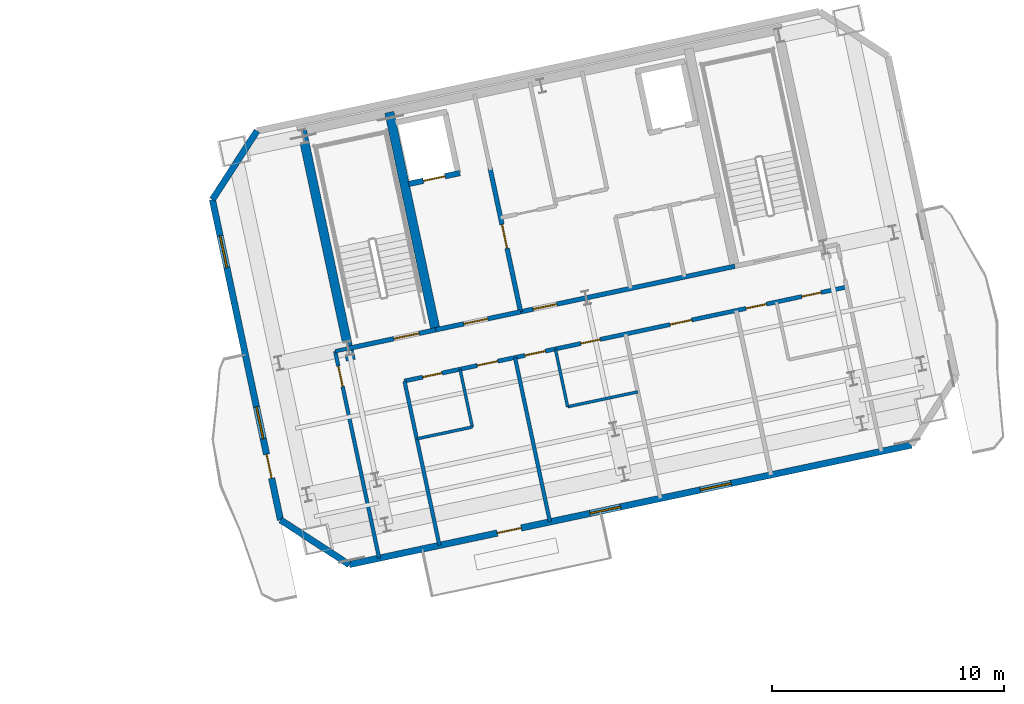
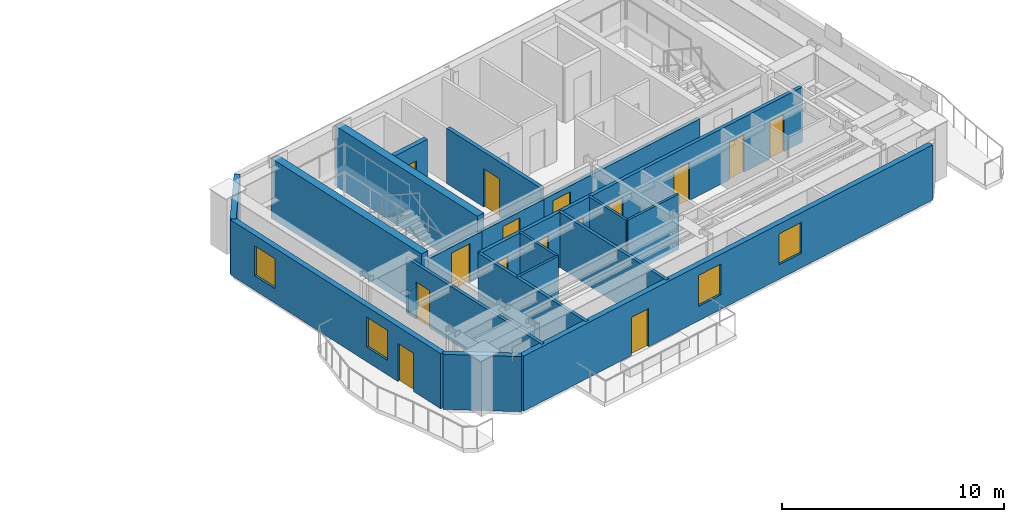
# One storey, part 10 of 16: 20 walls, 15 doors, 4 windows, 19 openings.
"""IFC4 building model written with IfcOpenShell, lengths in metres."""

import ifcopenshell
import ifcopenshell.guid

model = None  # the IFC model being written
_history = None  # IfcOwnerHistory: only IFC2X3 demands one
_inside = {}  # id of a spatial element -> (the spatial element, [elements in it])
_under = {}  # id of a project, library or spatial element -> (it, [spatial elements below it])
_declared = {}  # id of a project -> (the project, [libraries it declares])
_typed = {}  # id of a type object -> (the type object, [elements of that type])
_made_of = {}  # id of a material, layer set ... -> (it, [elements and type objects made of it])


def new_model(schema):
    """Start an empty IFC model of exactly this schema.

    Asked for "IFC4X3", IfcOpenShell would pick the latest addendum, in which some entities
    have other attributes; the version numbers below select the first issue.
    IFC2X3 requires an IfcOwnerHistory on every rooted entity: one is made here for all.
    """
    global model, _history
    if schema == "IFC4X3":
        model = ifcopenshell.file(schema_version=(4, 3, 0, 0))
    else:
        model = ifcopenshell.file(schema=schema)
    _inside.clear()
    _under.clear()
    _declared.clear()
    _typed.clear()
    _made_of.clear()
    _history = None
    if model.schema == "IFC2X3":
        org = make("IfcOrganization", Name="unknown")
        user = make(
            "IfcPersonAndOrganization",
            ThePerson=make("IfcPerson", FamilyName="unknown"),
            TheOrganization=org,
        )
        app = make(
            "IfcApplication",
            ApplicationDeveloper=org,
            Version="unknown",
            ApplicationFullName="unknown",
            ApplicationIdentifier="unknown",
        )
        _history = make(
            "IfcOwnerHistory",
            OwningUser=user,
            OwningApplication=app,
            ChangeAction="ADDED",
            CreationDate=0,
        )
    return model


def make(cls, **values):
    """One entity of the class cls with the attributes given. An attribute that is None is left unset."""
    return model.create_entity(
        cls, **{name: value for name, value in values.items() if value is not None}
    )


def rooted(cls, **values):
    """An entity with a GlobalId (a new one), such as an element, a storey or a relation."""
    return make(cls, GlobalId=ifcopenshell.guid.new(), OwnerHistory=_history, **values)


def si_unit(unit_type, name, prefix=None):
    """IfcSIUnit, for example si_unit("LENGTHUNIT", "METRE", prefix="MILLI")."""
    return make("IfcSIUnit", UnitType=unit_type, Prefix=prefix, Name=name)


def assignment(units):
    """IfcUnitAssignment: the units of a project."""
    return None if units is None else make("IfcUnitAssignment", Units=units)


def point(xyz):
    """IfcCartesianPoint."""
    return None if xyz is None else make("IfcCartesianPoint", Coordinates=xyz)


def direction(xyz):
    """IfcDirection."""
    return None if xyz is None else make("IfcDirection", DirectionRatios=xyz)


def frame(location, z_axis=None, x_axis=None):
    """IfcAxis2Placement3D, a coordinate frame: its origin and axes. An axis left out is left unset."""
    return make(
        "IfcAxis2Placement3D",
        Location=point(location),
        Axis=direction(z_axis),
        RefDirection=direction(x_axis),
    )


def frame_2d(location, x_axis=None):
    """IfcAxis2Placement2D, a coordinate frame in the plane: its origin and x axis."""
    return make(
        "IfcAxis2Placement2D", Location=point(location), RefDirection=direction(x_axis)
    )


def origin():
    """The frame at (0, 0, 0) with its axes left unset."""
    return frame((0.0, 0.0, 0.0))


def place(relative_to, where):
    """IfcLocalPlacement: puts the frame where relative to a parent placement (None: the world)."""
    return make(
        "IfcLocalPlacement", PlacementRelTo=relative_to, RelativePlacement=where
    )


def context(
    kind, dimensions, precision=None, world=None, true_north=None, identifier=None
):
    """IfcGeometricRepresentationContext, for example the 3D "Model" context."""
    return make(
        "IfcGeometricRepresentationContext",
        ContextIdentifier=identifier,
        ContextType=kind,
        CoordinateSpaceDimension=dimensions,
        Precision=precision,
        WorldCoordinateSystem=world,
        TrueNorth=true_north,
    )


def subcontext(parent, identifier, kind, view, scale=None):
    """IfcGeometricRepresentationSubContext, for example "Body" below "Model"."""
    return make(
        "IfcGeometricRepresentationSubContext",
        ContextIdentifier=identifier,
        ContextType=kind,
        ParentContext=parent,
        TargetScale=scale,
        TargetView=view,
    )


def project(units=None, contexts=None):
    """IfcProject with its units and contexts."""
    return rooted(
        "IfcProject",
        Name="project",
        RepresentationContexts=contexts,
        UnitsInContext=assignment(units),
    )


def spatial(cls, under=None, at=None, **own):
    """A site, building, storey or space (cls), placed at a placement, below another one or the project."""
    s = rooted(cls, ObjectPlacement=at, **own)
    if under is not None:
        _under.setdefault(under.id(), (under, []))[1].append(s)
    return s


def profile(cls, at=None, kind="AREA", **sizes):
    """A parametric profile (cls). Its sizes go by their IFC names, for example OverallWidth=200.0."""
    return make(cls, ProfileType=kind, Position=at, **sizes)


def rectangle(**sizes):
    """IfcRectangleProfileDef."""
    return profile("IfcRectangleProfileDef", **sizes)


def extrude(swept, where, along, depth):
    """IfcExtrudedAreaSolid: the profile swept, set in the frame where, extruded along a direction by depth."""
    return make(
        "IfcExtrudedAreaSolid",
        SweptArea=swept,
        Position=where,
        ExtrudedDirection=direction(along),
        Depth=depth,
    )


def shape(context_of_items, identifier, shape_type, items):
    """IfcShapeRepresentation: the items that make up one representation, for example the "Body"."""
    return make(
        "IfcShapeRepresentation",
        ContextOfItems=context_of_items,
        RepresentationIdentifier=identifier,
        RepresentationType=shape_type,
        Items=items,
    )


def material(Name=None, Category=None):
    """IfcMaterial."""
    return make("IfcMaterial", Name=Name, Category=Category)


def layer(
    of_material, thickness, ventilated=None, Name=None, Category=None, Priority=None
):
    """IfcMaterialLayer: one layer of a wall or slab, of a material (None: an air gap)."""
    return make(
        "IfcMaterialLayer",
        Material=of_material,
        LayerThickness=thickness,
        IsVentilated=ventilated,
        Name=Name,
        Category=Category,
        Priority=Priority,
    )


def layer_set(layers, Name=None):
    """IfcMaterialLayerSet."""
    return make("IfcMaterialLayerSet", MaterialLayers=layers, LayerSetName=Name)


def made_of(thing, what):
    """Note that an element or type object is made of a material, layer set ...; save() writes the relation."""
    if what is not None:
        _made_of.setdefault(what.id(), (what, []))[1].append(thing)
    return thing


def type_object(cls, material=None, **own):
    """A type object (cls), such as IfcWallType, which elements share."""
    return made_of(rooted(cls, **own), material)


def element(
    cls,
    number,
    at=None,
    inside=None,
    cuts=None,
    type_object=None,
    material=None,
    context=None,
    identifier="Body",
    shape_type=None,
    held_by="IfcProductDefinitionShape",
    body=None,
    shapes=None,
    **own,
):
    """One element of the class cls, such as IfcWall. Its Tag is "e" and its number.

    at: its placement. inside: the storey or other place that contains it. cuts: it is an
    opening in that element (IfcRelVoidsElement). A single representation is given by context,
    identifier, shape_type and body (its items); several are given by shapes. held_by: the class
    of the entity that holds the representations. save() writes the other relations.
    """
    e = rooted(cls, Tag="e%d" % number, ObjectPlacement=at, **own)
    if body is not None:
        shapes = [shape(context, identifier, shape_type, body)]
    if shapes is not None:
        e.Representation = make(held_by, Representations=shapes)
    if inside is not None:
        _inside.setdefault(inside.id(), (inside, []))[1].append(e)
    if cuts is not None:
        rooted(
            "IfcRelVoidsElement", RelatingBuildingElement=cuts, RelatedOpeningElement=e
        )
    if type_object is not None:
        _typed.setdefault(type_object.id(), (type_object, []))[1].append(e)
    return made_of(e, material)


def fill(opening, filler):
    """IfcRelFillsElement: the door or window that sits in an opening."""
    return rooted(
        "IfcRelFillsElement",
        RelatingOpeningElement=opening,
        RelatedBuildingElement=filler,
    )


def aggregate(whole, parts):
    """IfcRelAggregates: a whole, such as a stair, and the parts it consists of."""
    return rooted("IfcRelAggregates", RelatingObject=whole, RelatedObjects=parts)


def save(model, path):
    """Write the relations noted so far, then the file.

    IfcRelAggregates (storeys below a building ...), IfcRelContainedInSpatialStructure (elements
    in a storey), IfcRelDefinesByType, IfcRelAssociatesMaterial and IfcRelDeclares: one each for
    every whole, place, type object, material and project.
    """
    for whole, parts in _under.values():
        aggregate(whole, parts)
    for where, things in _inside.values():
        rooted(
            "IfcRelContainedInSpatialStructure",
            RelatedElements=things,
            RelatingStructure=where,
        )
    for kind, things in _typed.values():
        rooted("IfcRelDefinesByType", RelatedObjects=things, RelatingType=kind)
    for what, things in _made_of.values():
        rooted("IfcRelAssociatesMaterial", RelatedObjects=things, RelatingMaterial=what)
    for by, libraries in _declared.values():
        rooted("IfcRelDeclares", RelatingContext=by, RelatedDefinitions=libraries)
    model.write(path)


model = new_model("IFC4")

# Units and contexts
model_context = context("Model", 3, precision=1e-05, world=origin(), true_north=direction((0.0, 1.0)))
body_context = subcontext(model_context, "Body", "Model", "MODEL_VIEW")
ifc_project = project(units=[si_unit("LENGTHUNIT", "METRE"), si_unit("AREAUNIT", "SQUARE_METRE"), si_unit("VOLUMEUNIT", "CUBIC_METRE"), si_unit("PLANEANGLEUNIT", "RADIAN"), si_unit("MASSUNIT", "GRAM", prefix="KILO")], contexts=[model_context])

# Site, building, storey
site_placement = place(None, origin())
site = spatial("IfcSite", under=ifc_project, at=site_placement, CompositionType="ELEMENT")
building_placement = place(site_placement, origin())
building = spatial("IfcBuilding", under=site, at=building_placement, Name="Haevon Station Towers", CompositionType="ELEMENT")
storey_placement = place(building_placement, frame((0.0, 0.0, 215.39990234375)))
storey = spatial("IfcBuildingStorey", under=building, at=storey_placement, Name="L59", CompositionType="ELEMENT", Elevation=215.39990234375)

# Wall, openings, doors
ifc_material_1 = material(Name="Gypsum board on steel stud", Category="steel")
ifc_layer_1 = layer(ifc_material_1, 0.179931640625)
ifc_layer_set_1 = layer_set([ifc_layer_1], Name="Gypsum board on steel stud")
wall_type_1 = type_object("IfcWallType", Name="WL-ACU180", PredefinedType="PARTITIONING", material=ifc_layer_set_1)
wall_1_placement = place(storey_placement, frame((101.177734375, 36.035888671875, 0.0), z_axis=(0.0, 0.0, 1.0), x_axis=(0.978146089545, 0.207918800275, 0.0)))
wall_1 = element("IfcWall", 1, at=wall_1_placement, inside=storey, type_object=wall_type_1, Name="WL-T2PT-L59-15", PredefinedType="PARTITIONING", context=body_context, shape_type="SweptSolid", body=[
    extrude(rectangle(XDim=19.500244140625, YDim=0.179931640625, at=frame_2d((9.75, 0.0))), origin(), (0.0, 0.0, 1.0), 3.030029296875),
])
opening_1_placement = place(wall_1_placement, frame((0.800048828125, 0.0, 0.0)))
opening_1 = element("IfcOpeningElement", 2, at=opening_1_placement, cuts=wall_1, Name="Opening DR-WL-T2PT-L59-15-01", PredefinedType="OPENING", context=body_context, shape_type="SweptSolid", body=[
    extrude(rectangle(XDim=0.85009765625, YDim=2.050048828125, at=frame_2d((0.425048828125, 1.02490234375))), frame((0.0, 0.099853515625, 0.0), z_axis=(0.0, -1.0, 0.0), x_axis=(1.0, 0.0, 0.0)), (0.0, 0.0, 1.0), 0.199951171875),
])
opening_2_placement = place(wall_1_placement, frame((3.212890625, 0.0, 0.0)))
opening_2 = element("IfcOpeningElement", 3, at=opening_2_placement, cuts=wall_1, Name="Opening DR-WL-T2PT-L59-15-02", PredefinedType="OPENING", context=body_context, shape_type="SweptSolid", body=[
    extrude(rectangle(XDim=0.89990234375, YDim=2.050048828125, at=frame_2d((0.449951171875, 1.02490234375))), frame((0.0, 0.099853515625, 0.0), z_axis=(0.0, -1.0, 0.0), x_axis=(1.0, 0.0, 0.0)), (0.0, 0.0, 1.0), 0.199951171875),
])
opening_3_placement = place(wall_1_placement, frame((7.778076171875, 0.0, 0.0)))
opening_3 = element("IfcOpeningElement", 4, at=opening_3_placement, cuts=wall_1, Name="Opening DR-WL-T2PT-L59-15-03", PredefinedType="OPENING", context=body_context, shape_type="SweptSolid", body=[
    extrude(rectangle(XDim=0.85009765625, YDim=2.050048828125, at=frame_2d((0.425048828125, 1.02490234375))), frame((0.0, 0.099853515625, 0.0), z_axis=(0.0, -1.0, 0.0), x_axis=(1.0, 0.0, 0.0)), (0.0, 0.0, 1.0), 0.199951171875),
])
opening_4_placement = place(wall_1_placement, frame((5.31494140625, 0.0, 0.0)))
opening_4 = element("IfcOpeningElement", 5, at=opening_4_placement, cuts=wall_1, Name="Opening DR-WL-T2PT-L59-15-04", PredefinedType="OPENING", context=body_context, shape_type="SweptSolid", body=[
    extrude(rectangle(XDim=0.89990234375, YDim=2.050048828125, at=frame_2d((0.449951171875, 1.02490234375))), frame((0.0, 0.099853515625, 0.0), z_axis=(0.0, -1.0, 0.0), x_axis=(1.0, 0.0, 0.0)), (0.0, 0.0, 1.0), 0.199951171875),
])
opening_5_placement = place(wall_1_placement, frame((11.712890625, 0.0, 0.0)))
opening_5 = element("IfcOpeningElement", 6, at=opening_5_placement, cuts=wall_1, Name="Opening DR-WL-T2PT-L59-15-05", PredefinedType="OPENING", context=body_context, shape_type="SweptSolid", body=[
    extrude(rectangle(XDim=0.949951171875, YDim=2.10009765625, at=frame_2d((0.47509765625, 1.050048828125))), frame((0.0, 0.099853515625, 0.0), z_axis=(0.0, -1.0, 0.0), x_axis=(1.0, 0.0, 0.0)), (0.0, 0.0, 1.0), 0.199951171875),
])
opening_6_placement = place(wall_1_placement, frame((17.527099609375, 0.0, 0.0)))
opening_6 = element("IfcOpeningElement", 7, at=opening_6_placement, cuts=wall_1, Name="Opening DR-WL-T2PT-L59-15-06", PredefinedType="OPENING", context=body_context, shape_type="SweptSolid", body=[
    extrude(rectangle(XDim=0.85009765625, YDim=2.050048828125, at=frame_2d((0.425048828125, 1.02490234375))), frame((0.0, 0.099853515625, 0.0), z_axis=(0.0, -1.0, 0.0), x_axis=(1.0, 0.0, 0.0)), (0.0, 0.0, 1.0), 0.199951171875),
])
opening_7_placement = place(wall_1_placement, frame((15.06494140625, 0.0, 0.0)))
opening_7 = element("IfcOpeningElement", 8, at=opening_7_placement, cuts=wall_1, Name="Opening DR-WL-T2PT-L59-15-07", PredefinedType="OPENING", context=body_context, shape_type="SweptSolid", body=[
    extrude(rectangle(XDim=0.89990234375, YDim=2.050048828125, at=frame_2d((0.449951171875, 1.02490234375))), frame((0.0, 0.099853515625, 0.0), z_axis=(0.0, -1.0, 0.0), x_axis=(1.0, 0.0, 0.0)), (0.0, 0.0, 1.0), 0.199951171875),
])
ifc_material_2 = material(Name="Engineered oak timber", Category="wood")
door_type_1 = type_object("IfcDoorType", Name="DR-FD30-850", OperationType="NOTDEFINED", PredefinedType="DOOR", material=ifc_material_2)
door_1_placement = place(opening_1_placement, origin())
door_1 = element("IfcDoor", 9, at=door_1_placement, inside=storey, type_object=door_type_1, Name="L59 Tower 2 Room Door 15-1", OperationType="SINGLE_SWING_LEFT", OverallHeight=2.050048828125, OverallWidth=0.85009765625, PredefinedType="DOOR", context=body_context, shape_type="SweptSolid", body=[
    extrude(rectangle(XDim=0.85009765625, YDim=2.050048828125, at=frame_2d((0.425048828125, 1.02490234375))), frame((0.0, 0.02490234375, 0.0), z_axis=(0.0, -1.0, 0.0), x_axis=(1.0, 0.0, 0.0)), (0.0, 0.0, 1.0), 0.050048828125),
])
fill(opening_1, door_1)
door_2_placement = place(opening_3_placement, origin())
door_2 = element("IfcDoor", 10, at=door_2_placement, inside=storey, type_object=door_type_1, Name="L59 Tower 2 Room Door 15-3", OperationType="SINGLE_SWING_LEFT", OverallHeight=2.050048828125, OverallWidth=0.85009765625, PredefinedType="DOOR", context=body_context, shape_type="SweptSolid", body=[
    extrude(rectangle(XDim=0.85009765625, YDim=2.050048828125, at=frame_2d((0.425048828125, 1.02490234375))), frame((0.0, 0.02490234375, 0.0), z_axis=(0.0, -1.0, 0.0), x_axis=(1.0, 0.0, 0.0)), (0.0, 0.0, 1.0), 0.050048828125),
])
fill(opening_3, door_2)
door_3_placement = place(opening_6_placement, origin())
door_3 = element("IfcDoor", 11, at=door_3_placement, inside=storey, type_object=door_type_1, Name="L59 Tower 2 Room Door 15-6", OperationType="SINGLE_SWING_RIGHT", OverallHeight=2.050048828125, OverallWidth=0.85009765625, PredefinedType="DOOR", context=body_context, shape_type="SweptSolid", body=[
    extrude(rectangle(XDim=0.85009765625, YDim=2.050048828125, at=frame_2d((0.425048828125, 1.02490234375))), frame((0.0, 0.02490234375, 0.0), z_axis=(0.0, -1.0, 0.0), x_axis=(1.0, 0.0, 0.0)), (0.0, 0.0, 1.0), 0.050048828125),
])
fill(opening_6, door_3)
door_type_2 = type_object("IfcDoorType", Name="DR-FD30-950", OperationType="NOTDEFINED", PredefinedType="DOOR", material=ifc_material_2)
door_4_placement = place(opening_5_placement, origin())
door_4 = element("IfcDoor", 12, at=door_4_placement, inside=storey, type_object=door_type_2, Name="L59 Tower 2 Room Door 15-5", OperationType="SINGLE_SWING_LEFT", OverallHeight=2.10009765625, OverallWidth=0.949951171875, PredefinedType="DOOR", context=body_context, shape_type="SweptSolid", body=[
    extrude(rectangle(XDim=0.949951171875, YDim=2.10009765625, at=frame_2d((0.47509765625, 1.050048828125))), frame((0.0, 0.02490234375, 0.0), z_axis=(0.0, -1.0, 0.0), x_axis=(1.0, 0.0, 0.0)), (0.0, 0.0, 1.0), 0.050048828125),
])
fill(opening_5, door_4)
door_type_3 = type_object("IfcDoorType", Name="DR-INT-900", OperationType="NOTDEFINED", PredefinedType="DOOR", material=ifc_material_2)
door_5_placement = place(opening_2_placement, origin())
door_5 = element("IfcDoor", 13, at=door_5_placement, inside=storey, type_object=door_type_3, Name="L59 Tower 2 Room Door 15-2", OperationType="SINGLE_SWING_RIGHT", OverallHeight=2.050048828125, OverallWidth=0.89990234375, PredefinedType="DOOR", context=body_context, shape_type="SweptSolid", body=[
    extrude(rectangle(XDim=0.89990234375, YDim=2.050048828125, at=frame_2d((0.449951171875, 1.02490234375))), frame((0.0, 0.02490234375, 0.0), z_axis=(0.0, -1.0, 0.0), x_axis=(1.0, 0.0, 0.0)), (0.0, 0.0, 1.0), 0.050048828125),
])
fill(opening_2, door_5)
door_6_placement = place(opening_4_placement, origin())
door_6 = element("IfcDoor", 14, at=door_6_placement, inside=storey, type_object=door_type_3, Name="L59 Tower 2 Room Door 15-4", OperationType="SINGLE_SWING_RIGHT", OverallHeight=2.050048828125, OverallWidth=0.89990234375, PredefinedType="DOOR", context=body_context, shape_type="SweptSolid", body=[
    extrude(rectangle(XDim=0.89990234375, YDim=2.050048828125, at=frame_2d((0.449951171875, 1.02490234375))), frame((0.0, 0.02490234375, 0.0), z_axis=(0.0, -1.0, 0.0), x_axis=(1.0, 0.0, 0.0)), (0.0, 0.0, 1.0), 0.050048828125),
])
fill(opening_4, door_6)
door_7_placement = place(opening_7_placement, origin())
door_7 = element("IfcDoor", 15, at=door_7_placement, inside=storey, type_object=door_type_3, Name="L59 Tower 2 Room Door 15-7", OperationType="SINGLE_SWING_LEFT", OverallHeight=2.050048828125, OverallWidth=0.89990234375, PredefinedType="DOOR", context=body_context, shape_type="SweptSolid", body=[
    extrude(rectangle(XDim=0.89990234375, YDim=2.050048828125, at=frame_2d((0.449951171875, 1.02490234375))), frame((0.0, 0.02490234375, 0.0), z_axis=(0.0, -1.0, 0.0), x_axis=(1.0, 0.0, 0.0)), (0.0, 0.0, 1.0), 0.050048828125),
])
fill(opening_7, door_7)

# Wall, opening, door
ifc_layer_2 = layer(ifc_material_1, 0.199951171875)
ifc_layer_set_2 = layer_set([ifc_layer_2], Name="Gypsum board on steel stud")
wall_type_2 = type_object("IfcWallType", Name="WL-COR200", PredefinedType="PARTITIONING", material=ifc_layer_set_2)
wall_2_placement = place(storey_placement, frame((98.75244140625, 37.4423828125, 0.0), z_axis=(0.0, 0.0, 1.0), x_axis=(0.978143537786, 0.207930804564, 0.0)))
wall_2 = element("IfcWall", 16, at=wall_2_placement, inside=storey, type_object=wall_type_2, Name="WL-ST-ST3-L59", PredefinedType="PARTITIONING", context=body_context, shape_type="SweptSolid", body=[
    extrude(rectangle(XDim=3.85009765625, YDim=0.199951171875, at=frame_2d((1.925048828125, 0.0))), origin(), (0.0, 0.0, 1.0), 2.43017578125),
])
opening_8_placement = place(wall_2_placement, frame((2.0, 0.0, 0.0)))
opening_8 = element("IfcOpeningElement", 17, at=opening_8_placement, cuts=wall_2, Name="Opening DR-ST-ST3-L59", PredefinedType="OPENING", context=body_context, shape_type="SweptSolid", body=[
    extrude(rectangle(XDim=1.1201171875, YDim=2.10009765625, at=frame_2d((0.56005859375, 1.050048828125))), frame((0.0, 0.10986328125, 0.0), z_axis=(0.0, -1.0, 0.0), x_axis=(1.0, 0.0, 0.0)), (0.0, 0.0, 1.0), 0.219970703125),
])
door_type_4 = type_object("IfcDoorType", Name="DR-ST-1120", OperationType="NOTDEFINED", PredefinedType="DOOR", material=ifc_material_2)
door_8_placement = place(opening_8_placement, origin())
door_8 = element("IfcDoor", 18, at=door_8_placement, inside=storey, type_object=door_type_4, Name="L59 Escape Stair ST3 Fire Door", OperationType="SINGLE_SWING_RIGHT", OverallHeight=2.10009765625, OverallWidth=1.1201171875, PredefinedType="DOOR", context=body_context, shape_type="SweptSolid", body=[
    extrude(rectangle(XDim=1.1201171875, YDim=2.10009765625, at=frame_2d((0.56005859375, 1.050048828125))), frame((0.0, 0.02490234375, 0.0), z_axis=(0.0, -1.0, 0.0), x_axis=(1.0, 0.0, 0.0)), (0.0, 0.0, 1.0), 0.050048828125),
])
fill(opening_8, door_8)

wall_3_placement = place(storey_placement, frame((106.186279296875, 39.0224609375, 0.0), z_axis=(0.0, 0.0, 1.0), x_axis=(-0.207916691923, 0.978146537703, 0.0)))
wall_3 = element("IfcWall", 19, at=wall_3_placement, inside=storey, type_object=wall_type_2, Name="WL-T2FFL-L59-E", PredefinedType="PARTITIONING", context=body_context, shape_type="SweptSolid", body=[
    extrude(rectangle(XDim=6.35009765625, YDim=0.199951171875, at=frame_2d((3.175048828125, 0.0))), origin(), (0.0, 0.0, 1.0), 3.030029296875),
])
opening_9_placement = place(wall_3_placement, frame((2.800048828125, 0.0, 0.0)))
opening_9 = element("IfcOpeningElement", 20, at=opening_9_placement, cuts=wall_3, Name="Opening DR-T2FFL-L59-E", PredefinedType="OPENING", context=body_context, shape_type="SweptSolid", body=[
    extrude(rectangle(XDim=1.050048828125, YDim=2.10009765625, at=frame_2d((0.52490234375, 1.050048828125))), frame((0.0, 0.10986328125, 0.0), z_axis=(0.0, -1.0, 0.0), x_axis=(1.0, 0.0, 0.0)), (0.0, 0.0, 1.0), 0.219970703125),
])
door_type_5 = type_object("IfcDoorType", Name="DR-FD60-1050", OperationType="NOTDEFINED", PredefinedType="DOOR", material=ifc_material_2)
door_9_placement = place(opening_9_placement, origin())
door_9 = element("IfcDoor", 21, at=door_9_placement, inside=storey, type_object=door_type_5, Name="L59 Tower 2 Firefighting Lift Lobby Door E", OperationType="SINGLE_SWING_RIGHT", OverallHeight=2.10009765625, OverallWidth=1.050048828125, PredefinedType="DOOR", context=body_context, shape_type="SweptSolid", body=[
    extrude(rectangle(XDim=1.050048828125, YDim=2.10009765625, at=frame_2d((0.52490234375, 1.050048828125))), frame((0.0, 0.02490234375, 0.0), z_axis=(0.0, -1.0, 0.0), x_axis=(1.0, 0.0, 0.0)), (0.0, 0.0, 1.0), 0.050048828125),
])
fill(opening_9, door_9)

wall_4_placement = place(storey_placement, frame((102.518310546875, 38.242919921875, 0.0), z_axis=(0.0, 0.0, 1.0), x_axis=(0.978153555683, 0.20788367301, 0.0)))
wall_4 = element("IfcWall", 22, at=wall_4_placement, inside=storey, type_object=wall_type_2, Name="WL-T2FFL-L59-S", PredefinedType="PARTITIONING", context=body_context, shape_type="SweptSolid", body=[
    extrude(rectangle(XDim=3.75, YDim=0.199951171875, at=frame_2d((1.875, 0.0))), origin(), (0.0, 0.0, 1.0), 2.43017578125),
])
opening_10_placement = place(wall_4_placement, frame((1.25, 0.0, 0.0)))
opening_10 = element("IfcOpeningElement", 23, at=opening_10_placement, cuts=wall_4, Name="Opening DR-T2FFL-L59-S", PredefinedType="OPENING", context=body_context, shape_type="SweptSolid", body=[
    extrude(rectangle(XDim=1.050048828125, YDim=2.10009765625, at=frame_2d((0.52490234375, 1.050048828125))), frame((0.0, 0.10986328125, 0.0), z_axis=(0.0, -1.0, 0.0), x_axis=(1.0, 0.0, 0.0)), (0.0, 0.0, 1.0), 0.219970703125),
])
door_10_placement = place(opening_10_placement, origin())
door_10 = element("IfcDoor", 24, at=door_10_placement, inside=storey, type_object=door_type_5, Name="L59 Tower 2 Firefighting Lift Lobby Door S", OperationType="SINGLE_SWING_LEFT", OverallHeight=2.10009765625, OverallWidth=1.050048828125, PredefinedType="DOOR", context=body_context, shape_type="SweptSolid", body=[
    extrude(rectangle(XDim=1.050048828125, YDim=2.10009765625, at=frame_2d((0.52490234375, 1.050048828125))), frame((0.0, 0.02490234375, 0.0), z_axis=(0.0, -1.0, 0.0), x_axis=(1.0, 0.0, 0.0)), (0.0, 0.0, 1.0), 0.050048828125),
])
fill(opening_10, door_10)

wall_5_placement = place(storey_placement, frame((106.186279296875, 39.0224609375, 0.0), z_axis=(0.0, 0.0, 1.0), x_axis=(0.978145519981, 0.20792147975, 0.0)))
wall_5 = element("IfcWall", 25, at=wall_5_placement, inside=storey, type_object=wall_type_2, Name="WL-T2CLB-L59", PredefinedType="PARTITIONING", context=body_context, shape_type="SweptSolid", body=[
    extrude(rectangle(XDim=9.449951171875, YDim=0.199951171875, at=frame_2d((4.72509765625, 0.0))), origin(), (0.0, 0.0, 1.0), 2.43017578125),
])
opening_11_placement = place(wall_5_placement, frame((0.550048828125, 0.0, 0.0)))
opening_11 = element("IfcOpeningElement", 26, at=opening_11_placement, cuts=wall_5, Name="Opening DR-T2CLB-L59-1", PredefinedType="OPENING", context=body_context, shape_type="SweptSolid", body=[
    extrude(rectangle(XDim=1.050048828125, YDim=2.10009765625, at=frame_2d((0.52490234375, 1.050048828125))), frame((0.0, 0.10986328125, 0.0), z_axis=(0.0, -1.0, 0.0), x_axis=(1.0, 0.0, 0.0)), (0.0, 0.0, 1.0), 0.219970703125),
])
door_11_placement = place(opening_11_placement, origin())
door_11 = element("IfcDoor", 27, at=door_11_placement, inside=storey, type_object=door_type_5, Name="L59 Tower 2 Core Lift Lobby Door 1", OperationType="SINGLE_SWING_RIGHT", OverallHeight=2.10009765625, OverallWidth=1.050048828125, PredefinedType="DOOR", context=body_context, shape_type="SweptSolid", body=[
    extrude(rectangle(XDim=1.050048828125, YDim=2.10009765625, at=frame_2d((0.52490234375, 1.050048828125))), frame((0.0, 0.02490234375, 0.0), z_axis=(0.0, -1.0, 0.0), x_axis=(1.0, 0.0, 0.0)), (0.0, 0.0, 1.0), 0.050048828125),
])
fill(opening_11, door_11)

# Walls
ifc_material_3 = material(Name="Concrete C60/75", Category="concrete")
ifc_layer_3 = layer(ifc_material_3, 0.39990234375)
ifc_layer_set_3 = layer_set([ifc_layer_3], Name="Concrete C60/75")
wall_type_3 = type_object("IfcWallType", Name="WL-CR400", PredefinedType="SHEAR", material=ifc_layer_set_3)
wall_6_placement = place(storey_placement, frame((98.8603515625, 36.933837890625, 0.0), z_axis=(0.0, 0.0, 1.0), x_axis=(-0.20790924889, 0.978148119778, 0.0)))
element("IfcWall", 28, at=wall_6_placement, inside=storey, type_object=wall_type_3, Name="WL-T2CR-L59-W", PredefinedType="SHEAR", context=body_context, shape_type="SweptSolid", body=[
    extrude(rectangle(XDim=10.119873046875, YDim=0.39990234375, at=frame_2d((5.06005859375, 0.0))), origin(), (0.0, 0.0, 1.0), 3.300048828125),
])
wall_7_placement = place(storey_placement, frame((102.518310546875, 38.242919921875, 0.0), z_axis=(0.0, 0.0, 1.0), x_axis=(-0.207927495108, 0.978144241295, 0.0)))
element("IfcWall", 29, at=wall_7_placement, inside=storey, type_object=wall_type_3, Name="WL-T2CR-L59-M1", PredefinedType="SHEAR", context=body_context, shape_type="SweptSolid", body=[
    extrude(rectangle(XDim=9.599853515625, YDim=0.39990234375, at=frame_2d((4.7998046875, 0.0))), origin(), (0.0, 0.0, 1.0), 3.300048828125),
])

# Wall, openings, door, windows
ifc_material_4 = material(Name="Precast concrete C45/55", Category="concrete")
ifc_layer_4 = layer(ifc_material_4, 0.280029296875)
ifc_layer_set_4 = layer_set([ifc_layer_4], Name="Precast concrete C45/55")
wall_type_4 = type_object("IfcWallType", Name="WL-EXT-PIER280", PredefinedType="SOLIDWALL", material=ifc_layer_set_4)
wall_8_placement = place(storey_placement, frame((123.050048828125, 33.273193359375, 0.0), z_axis=(0.0, 0.0, 1.0), x_axis=(-0.97814726544, -0.207913268245, 0.0)))
wall_8 = element("IfcWall", 30, at=wall_8_placement, inside=storey, type_object=wall_type_4, Name="WL-T2-L59-S", PredefinedType="SOLIDWALL", context=body_context, shape_type="SweptSolid", body=[
    extrude(rectangle(XDim=24.800048828125, YDim=0.280029296875, at=frame_2d((12.39990234375, 0.0))), origin(), (0.0, 0.0, 1.0), 3.030029296875),
])
opening_12_placement = place(wall_8_placement, frame((17.21533203125, 0.0, 0.0)))
opening_12 = element("IfcOpeningElement", 31, at=opening_12_placement, cuts=wall_8, Name="Opening DR-T2-PBAND-L59-1", PredefinedType="OPENING", context=body_context, shape_type="SweptSolid", body=[
    extrude(rectangle(XDim=1.050048828125, YDim=2.10009765625, at=frame_2d((0.52490234375, 1.050048828125))), frame((0.0, 0.14990234375, 0.0), z_axis=(0.0, -1.0, 0.0), x_axis=(1.0, 0.0, 0.0)), (0.0, 0.0, 1.0), 0.300048828125),
])
opening_13_placement = place(wall_8_placement, frame((12.83251953125, 0.0, 0.800048828125)))
opening_13 = element("IfcOpeningElement", 32, at=opening_13_placement, cuts=wall_8, Name="Opening WN-P135", PredefinedType="OPENING", context=body_context, shape_type="SweptSolid", body=[
    extrude(rectangle(XDim=1.35009765625, YDim=1.699951171875, at=frame_2d((0.675048828125, 0.85009765625))), frame((0.0, 0.14990234375, 0.0), z_axis=(0.0, -1.0, 0.0), x_axis=(1.0, 0.0, 0.0)), (0.0, 0.0, 1.0), 0.300048828125),
])
opening_14_placement = place(wall_8_placement, frame((7.95751953125, 0.0, 0.800048828125)))
opening_14 = element("IfcOpeningElement", 33, at=opening_14_placement, cuts=wall_8, Name="Opening WN-P135", PredefinedType="OPENING", context=body_context, shape_type="SweptSolid", body=[
    extrude(rectangle(XDim=1.35009765625, YDim=1.699951171875, at=frame_2d((0.675048828125, 0.85009765625))), frame((0.0, 0.14990234375, 0.0), z_axis=(0.0, -1.0, 0.0), x_axis=(1.0, 0.0, 0.0)), (0.0, 0.0, 1.0), 0.300048828125),
])
ifc_material_5 = material(Name="Thermally broken anodised aluminium and laminated safety glass", Category="aluminium")
door_type_6 = type_object("IfcDoorType", Name="DR-BALC-1050", OperationType="NOTDEFINED", PredefinedType="DOOR", material=ifc_material_5)
door_12_placement = place(opening_12_placement, origin())
door_12 = element("IfcDoor", 34, at=door_12_placement, inside=storey, type_object=door_type_6, Name="Tower 2 L59 Balcony Terrace Door", OperationType="SINGLE_SWING_RIGHT", OverallHeight=2.10009765625, OverallWidth=1.050048828125, PredefinedType="DOOR", context=body_context, shape_type="SweptSolid", body=[
    extrude(rectangle(XDim=1.050048828125, YDim=2.10009765625, at=frame_2d((0.52490234375, 1.050048828125))), frame((0.0, 0.02490234375, 0.0), z_axis=(0.0, -1.0, 0.0), x_axis=(1.0, 0.0, 0.0)), (0.0, 0.0, 1.0), 0.050048828125),
])
fill(opening_12, door_12)
ifc_material_6 = material(Name="Low-E triple glazing in thermally broken aluminium", Category="aluminium")
window_type_1 = type_object("IfcWindowType", Name="WN-P135", PartitioningType="SINGLE_PANEL", PredefinedType="WINDOW", material=ifc_material_6)
window_1_placement = place(opening_13_placement, origin())
window_1 = element("IfcWindow", 35, at=window_1_placement, inside=storey, type_object=window_type_1, Name="WN-T2-L59-S01", OverallHeight=1.699951171875, OverallWidth=1.35009765625, PartitioningType="SINGLE_PANEL", PredefinedType="WINDOW", context=body_context, shape_type="SweptSolid", body=[
    extrude(rectangle(XDim=1.35009765625, YDim=1.699951171875, at=frame_2d((0.675048828125, 0.85009765625))), frame((0.0, 0.030029296875, 0.0), z_axis=(0.0, -1.0, 0.0), x_axis=(1.0, 0.0, 0.0)), (0.0, 0.0, 1.0), 0.06005859375),
])
fill(opening_13, window_1)
window_2_placement = place(opening_14_placement, origin())
window_2 = element("IfcWindow", 36, at=window_2_placement, inside=storey, type_object=window_type_1, Name="WN-T2-L59-S02", OverallHeight=1.699951171875, OverallWidth=1.35009765625, PartitioningType="SINGLE_PANEL", PredefinedType="WINDOW", context=body_context, shape_type="SweptSolid", body=[
    extrude(rectangle(XDim=1.35009765625, YDim=1.699951171875, at=frame_2d((0.675048828125, 0.85009765625))), frame((0.0, 0.030029296875, 0.0), z_axis=(0.0, -1.0, 0.0), x_axis=(1.0, 0.0, 0.0)), (0.0, 0.0, 1.0), 0.06005859375),
])
fill(opening_14, window_2)

# Wall
wall_9_placement = place(storey_placement, frame((98.7919921875, 28.116943359375, 0.0), z_axis=(0.0, 0.0, 1.0), x_axis=(-0.838672309694, 0.544636352948, 0.0)))
element("IfcWall", 37, at=wall_9_placement, inside=storey, type_object=wall_type_4, Name="WL-T2-L59-SWC", PredefinedType="SOLIDWALL", context=body_context, shape_type="SweptSolid", body=[
    extrude(rectangle(XDim=3.535400390625, YDim=0.280029296875, at=frame_2d((1.767578125, 0.0))), origin(), (0.0, 0.0, 1.0), 3.030029296875),
])

# Wall, openings, door, windows
wall_10_placement = place(storey_placement, frame((95.826904296875, 30.04248046875, 0.0), z_axis=(0.0, 0.0, 1.0), x_axis=(-0.207907523802, 0.978148486451, 0.0)))
wall_10 = element("IfcWall", 38, at=wall_10_placement, inside=storey, type_object=wall_type_4, Name="WL-T2-L59-W", PredefinedType="SOLIDWALL", context=body_context, shape_type="SweptSolid", body=[
    extrude(rectangle(XDim=14.130126953125, YDim=0.280029296875, at=frame_2d((7.06494140625, 0.0))), origin(), (0.0, 0.0, 1.0), 3.030029296875),
])
opening_15_placement = place(wall_10_placement, frame((1.840087890625, 0.0, 0.0)))
opening_15 = element("IfcOpeningElement", 39, at=opening_15_placement, cuts=wall_10, Name="Opening DR-T2-SCAL-L59-W", PredefinedType="OPENING", context=body_context, shape_type="SweptSolid", body=[
    extrude(rectangle(XDim=1.050048828125, YDim=2.10009765625, at=frame_2d((0.52490234375, 1.050048828125))), frame((0.0, 0.14990234375, 0.0), z_axis=(0.0, -1.0, 0.0), x_axis=(1.0, 0.0, 0.0)), (0.0, 0.0, 1.0), 0.300048828125),
])
opening_16_placement = place(wall_10_placement, frame((3.58251953125, 0.0, 0.800048828125)))
opening_16 = element("IfcOpeningElement", 40, at=opening_16_placement, cuts=wall_10, Name="Opening WN-END140", PredefinedType="OPENING", context=body_context, shape_type="SweptSolid", body=[
    extrude(rectangle(XDim=1.39990234375, YDim=1.64990234375, at=frame_2d((0.699951171875, 0.824951171875))), frame((0.0, 0.14990234375, 0.0), z_axis=(0.0, -1.0, 0.0), x_axis=(1.0, 0.0, 0.0)), (0.0, 0.0, 1.0), 0.300048828125),
])
opening_17_placement = place(wall_10_placement, frame((11.135009765625, 0.0, 0.800048828125)))
opening_17 = element("IfcOpeningElement", 41, at=opening_17_placement, cuts=wall_10, Name="Opening WN-END140", PredefinedType="OPENING", context=body_context, shape_type="SweptSolid", body=[
    extrude(rectangle(XDim=1.39990234375, YDim=1.64990234375, at=frame_2d((0.699951171875, 0.824951171875))), frame((0.0, 0.14990234375, 0.0), z_axis=(0.0, -1.0, 0.0), x_axis=(1.0, 0.0, 0.0)), (0.0, 0.0, 1.0), 0.300048828125),
])
door_13_placement = place(opening_15_placement, origin())
door_13 = element("IfcDoor", 42, at=door_13_placement, inside=storey, type_object=door_type_6, Name="Tower 2 L59 West Scalloped Balcony Door", OperationType="SINGLE_SWING_LEFT", OverallHeight=2.10009765625, OverallWidth=1.050048828125, PredefinedType="DOOR", context=body_context, shape_type="SweptSolid", body=[
    extrude(rectangle(XDim=1.050048828125, YDim=2.10009765625, at=frame_2d((0.52490234375, 1.050048828125))), frame((0.0, 0.02490234375, 0.0), z_axis=(0.0, -1.0, 0.0), x_axis=(1.0, 0.0, 0.0)), (0.0, 0.0, 1.0), 0.050048828125),
])
fill(opening_15, door_13)
window_type_2 = type_object("IfcWindowType", Name="WN-END140", PartitioningType="SINGLE_PANEL", PredefinedType="WINDOW", material=ifc_material_6)
window_3_placement = place(opening_16_placement, origin())
window_3 = element("IfcWindow", 43, at=window_3_placement, inside=storey, type_object=window_type_2, Name="WN-T2-L59-W01", OverallHeight=1.64990234375, OverallWidth=1.39990234375, PartitioningType="SINGLE_PANEL", PredefinedType="WINDOW", context=body_context, shape_type="SweptSolid", body=[
    extrude(rectangle(XDim=1.39990234375, YDim=1.64990234375, at=frame_2d((0.699951171875, 0.824951171875))), frame((0.0, 0.030029296875, 0.0), z_axis=(0.0, -1.0, 0.0), x_axis=(1.0, 0.0, 0.0)), (0.0, 0.0, 1.0), 0.06005859375),
])
fill(opening_16, window_3)
window_4_placement = place(opening_17_placement, origin())
window_4 = element("IfcWindow", 44, at=window_4_placement, inside=storey, type_object=window_type_2, Name="WN-T2-L59-W02", OverallHeight=1.64990234375, OverallWidth=1.39990234375, PartitioningType="SINGLE_PANEL", PredefinedType="WINDOW", context=body_context, shape_type="SweptSolid", body=[
    extrude(rectangle(XDim=1.39990234375, YDim=1.64990234375, at=frame_2d((0.699951171875, 0.824951171875))), frame((0.0, 0.030029296875, 0.0), z_axis=(0.0, -1.0, 0.0), x_axis=(1.0, 0.0, 0.0)), (0.0, 0.0, 1.0), 0.06005859375),
])
fill(opening_17, window_4)

# Walls
wall_11_placement = place(storey_placement, frame((92.88916015625, 43.86376953125, 0.0), z_axis=(0.0, 0.0, 1.0), x_axis=(0.544636352948, 0.838672309694, 0.0)))
element("IfcWall", 45, at=wall_11_placement, inside=storey, type_object=wall_type_4, Name="WL-T2-L59-NWC", PredefinedType="SOLIDWALL", context=body_context, shape_type="SweptSolid", body=[
    extrude(rectangle(XDim=3.535400390625, YDim=0.280029296875, at=frame_2d((1.767578125, 0.0))), origin(), (0.0, 0.0, 1.0), 3.030029296875),
])
ifc_layer_5 = layer(ifc_material_1, 0.125)
ifc_layer_set_5 = layer_set([ifc_layer_5], Name="Gypsum board on steel stud")
wall_type_5 = type_object("IfcWallType", Name="WL-PRT125", PredefinedType="PARTITIONING", material=ifc_layer_set_5)
wall_12_placement = place(storey_placement, frame((101.7080078125, 33.541748046875, 0.0), z_axis=(0.0, 0.0, 1.0), x_axis=(0.978156824814, 0.207868290196, 0.0)))
element("IfcWall", 46, at=wall_12_placement, inside=storey, type_object=wall_type_5, Name="WL-T2PT-L59-06", PredefinedType="PARTITIONING", context=body_context, shape_type="SweptSolid", body=[
    extrude(rectangle(XDim=2.449951171875, YDim=0.125, at=frame_2d((1.22509765625, 0.0))), origin(), (0.0, 0.0, 1.0), 3.030029296875),
])
wall_13_placement = place(storey_placement, frame((104.1044921875, 34.051025390625, 0.0), z_axis=(0.0, 0.0, 1.0), x_axis=(-0.207940050407, 0.978141572287, 0.0)))
element("IfcWall", 47, at=wall_13_placement, inside=storey, type_object=wall_type_5, Name="WL-T2PT-L59-07", PredefinedType="PARTITIONING", context=body_context, shape_type="SweptSolid", body=[
    extrude(rectangle(XDim=2.550048828125, YDim=0.125, at=frame_2d((1.27490234375, 0.0))), origin(), (0.0, 0.0, 1.0), 3.030029296875),
])
wall_14_placement = place(storey_placement, frame((108.217529296875, 34.92529296875, 0.0), z_axis=(0.0, 0.0, 1.0), x_axis=(0.978142809708, 0.207934229547, 0.0)))
element("IfcWall", 48, at=wall_14_placement, inside=storey, type_object=wall_type_5, Name="WL-T2PT-L59-09", PredefinedType="PARTITIONING", context=body_context, shape_type="SweptSolid", body=[
    extrude(rectangle(XDim=3.094970703125, YDim=0.125, at=frame_2d((1.54736328125, 0.0))), origin(), (0.0, 0.0, 1.0), 3.030029296875),
])
wall_15_placement = place(storey_placement, frame((108.217529296875, 34.92529296875, 0.0), z_axis=(0.0, 0.0, 1.0), x_axis=(-0.207940050407, 0.978141572287, 0.0)))
element("IfcWall", 49, at=wall_15_placement, inside=storey, type_object=wall_type_5, Name="WL-T2PT-L59-10", PredefinedType="PARTITIONING", context=body_context, shape_type="SweptSolid", body=[
    extrude(rectangle(XDim=2.550048828125, YDim=0.125, at=frame_2d((1.27490234375, 0.0))), origin(), (0.0, 0.0, 1.0), 3.030029296875),
])
ifc_layer_6 = layer(ifc_material_1, 0.159912109375)
ifc_layer_set_6 = layer_set([ifc_layer_6], Name="Gypsum board on steel stud")
wall_type_6 = type_object("IfcWallType", Name="WL-PRT160", PredefinedType="PARTITIONING", material=ifc_layer_set_6)
wall_16_placement = place(storey_placement, frame((102.68505859375, 28.9443359375, 0.0), z_axis=(0.0, 0.0, 1.0), x_axis=(-0.207907487947, 0.978148494072, 0.0)))
element("IfcWall", 50, at=wall_16_placement, inside=storey, type_object=wall_type_6, Name="WL-T2PT-L59-01", PredefinedType="PARTITIONING", context=body_context, shape_type="SweptSolid", body=[
    extrude(rectangle(XDim=7.25, YDim=0.159912109375, at=frame_2d((3.625, 0.0))), origin(), (0.0, 0.0, 1.0), 3.030029296875),
])
wall_17_placement = place(storey_placement, frame((98.18505859375, 37.32177734375, 0.0), z_axis=(0.0, 0.0, 1.0), x_axis=(0.978146012851, 0.207919161079, 0.0)))
element("IfcWall", 51, at=wall_17_placement, inside=storey, type_object=wall_type_6, Name="WL-T2PT-L59-02", PredefinedType="PARTITIONING", context=body_context, shape_type="SweptSolid", body=[
    extrude(rectangle(XDim=0.580078125, YDim=0.159912109375, at=frame_2d((0.2900390625, 0.0))), origin(), (0.0, 0.0, 1.0), 1.22998046875),
])

# Wall, opening, door
wall_18_placement = place(storey_placement, frame((100.083251953125, 28.391357421875, 0.0), z_axis=(0.0, 0.0, 1.0), x_axis=(-0.207908966823, 0.978148179733, 0.0)))
wall_18 = element("IfcWall", 52, at=wall_18_placement, inside=storey, type_object=wall_type_6, Name="WL-T2PT-L59-04", PredefinedType="PARTITIONING", context=body_context, shape_type="SweptSolid", body=[
    extrude(rectangle(XDim=9.1298828125, YDim=0.159912109375, at=frame_2d((4.56494140625, 0.0))), origin(), (0.0, 0.0, 1.0), 3.030029296875),
])
opening_18_placement = place(wall_18_placement, frame((7.570068359375, 0.0, 0.0)))
opening_18 = element("IfcOpeningElement", 53, at=opening_18_placement, cuts=wall_18, Name="Opening DR-WL-T2PT-L59-04-01", PredefinedType="OPENING", context=body_context, shape_type="SweptSolid", body=[
    extrude(rectangle(XDim=0.89990234375, YDim=2.050048828125, at=frame_2d((0.449951171875, 1.02490234375))), frame((0.0, 0.08984375, 0.0), z_axis=(0.0, -1.0, 0.0), x_axis=(1.0, 0.0, 0.0)), (0.0, 0.0, 1.0), 0.179931640625),
])
door_14_placement = place(opening_18_placement, origin())
door_14 = element("IfcDoor", 54, at=door_14_placement, inside=storey, type_object=door_type_3, Name="L59 Tower 2 Room Door 4-1", OperationType="SINGLE_SWING_LEFT", OverallHeight=2.050048828125, OverallWidth=0.89990234375, PredefinedType="DOOR", context=body_context, shape_type="SweptSolid", body=[
    extrude(rectangle(XDim=0.89990234375, YDim=2.050048828125, at=frame_2d((0.449951171875, 1.02490234375))), frame((0.0, 0.02490234375, 0.0), z_axis=(0.0, -1.0, 0.0), x_axis=(1.0, 0.0, 0.0)), (0.0, 0.0, 1.0), 0.050048828125),
])
fill(opening_18, door_14)

# Wall
wall_19_placement = place(storey_placement, frame((107.45361328125, 29.9580078125, 0.0), z_axis=(0.0, 0.0, 1.0), x_axis=(-0.207907487947, 0.978148494072, 0.0)))
element("IfcWall", 55, at=wall_19_placement, inside=storey, type_object=wall_type_6, Name="WL-T2PT-L59-08", PredefinedType="PARTITIONING", context=body_context, shape_type="SweptSolid", body=[
    extrude(rectangle(XDim=7.25, YDim=0.159912109375, at=frame_2d((3.625, 0.0))), origin(), (0.0, 0.0, 1.0), 3.030029296875),
])

# Wall, opening, door
ifc_material_7 = material(Name="Concrete C40/50", Category="concrete")
ifc_layer_7 = layer(ifc_material_7, 0.239990234375)
ifc_layer_set_7 = layer_set([ifc_layer_7], Name="Concrete C40/50")
wall_type_7 = type_object("IfcWallType", Name="WL-SHF240", PredefinedType="PARTITIONING", material=ifc_layer_set_7)
wall_20_placement = place(storey_placement, frame((101.353759765625, 44.538330078125, 0.0), z_axis=(0.0, 0.0, 1.0), x_axis=(0.978141002414, 0.207942731049, 0.0)))
wall_20 = element("IfcWall", 56, at=wall_20_placement, inside=storey, type_object=wall_type_7, Name="WL-SHF-FL2-L59", PredefinedType="PARTITIONING", context=body_context, shape_type="SweptSolid", body=[
    extrude(rectangle(XDim=2.260009765625, YDim=0.239990234375, at=frame_2d((1.1298828125, 0.0))), origin(), (0.0, 0.0, 1.0), 3.030029296875),
])
opening_19_placement = place(wall_20_placement, frame((0.655029296875, 0.0, 0.0)))
opening_19 = element("IfcOpeningElement", 57, at=opening_19_placement, cuts=wall_20, Name="Opening LD-FL2-L59", PredefinedType="OPENING", context=body_context, shape_type="SweptSolid", body=[
    extrude(rectangle(XDim=0.949951171875, YDim=2.14990234375, at=frame_2d((0.47509765625, 1.074951171875))), frame((0.0, 0.1298828125, 0.0), z_axis=(0.0, -1.0, 0.0), x_axis=(1.0, 0.0, 0.0)), (0.0, 0.0, 1.0), 0.260009765625),
])
ifc_material_8 = material(Name="Stainless steel and rated core", Category="steel")
door_type_7 = type_object("IfcDoorType", Name="LD-FL950", OperationType="SLIDING_TO_LEFT", PredefinedType="DOOR", material=ifc_material_8)
door_15_placement = place(opening_19_placement, origin())
door_15 = element("IfcDoor", 58, at=door_15_placement, inside=storey, type_object=door_type_7, Name="L59 Lift FL2 Sliding Landing Door", OperationType="SLIDING_TO_LEFT", OverallHeight=2.14990234375, OverallWidth=0.949951171875, PredefinedType="DOOR", context=body_context, shape_type="SweptSolid", body=[
    extrude(rectangle(XDim=0.949951171875, YDim=2.14990234375, at=frame_2d((0.47509765625, 1.074951171875))), frame((0.0, 0.02490234375, 0.0), z_axis=(0.0, -1.0, 0.0), x_axis=(1.0, 0.0, 0.0)), (0.0, 0.0, 1.0), 0.050048828125),
])
fill(opening_19, door_15)

save(model, "model.ifc")
